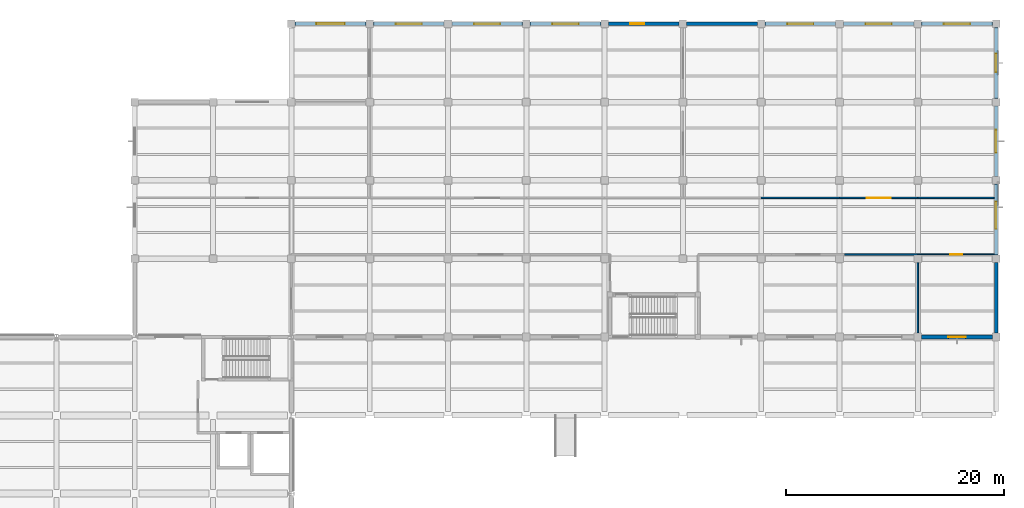
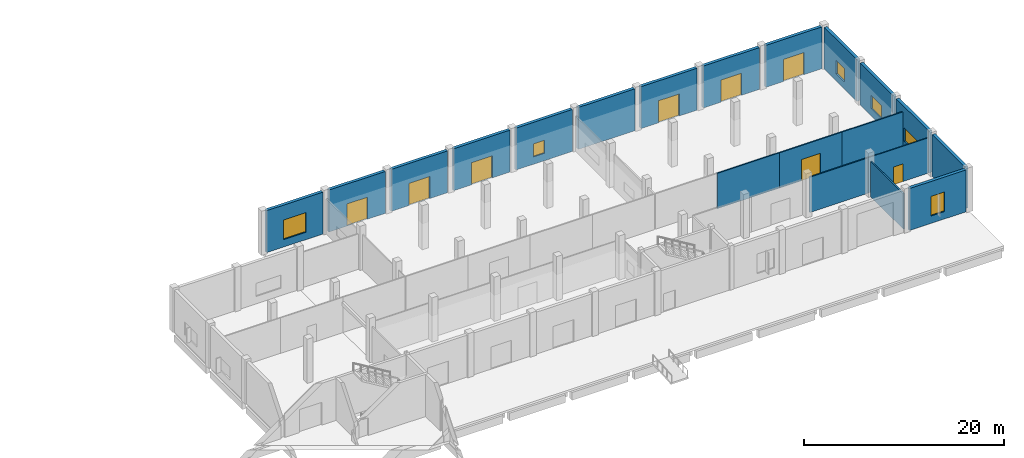
# One storey, part 30 of 46: 20 walls, 8 doors, 6 windows, 14 openings.
"""IFC4 building model written with IfcOpenShell, lengths in metres."""

from ifc_helpers import new_model, si_unit, direction, frame, frame_2d, origin, place, context, subcontext, project, spatial, rectangle, extrude, material, layer, layer_set, type_object, element, fill, save


model = new_model("IFC4")

# Units and contexts
model_context = context("Model", 3, precision=1e-05, world=origin(), true_north=direction((0.0, 1.0)))
body_context = subcontext(model_context, "Body", "Model", "MODEL_VIEW")
ifc_project = project(units=[si_unit("LENGTHUNIT", "METRE"), si_unit("AREAUNIT", "SQUARE_METRE"), si_unit("VOLUMEUNIT", "CUBIC_METRE"), si_unit("PLANEANGLEUNIT", "RADIAN"), si_unit("MASSUNIT", "GRAM", prefix="KILO"), si_unit("THERMODYNAMICTEMPERATUREUNIT", "KELVIN"), si_unit("POWERUNIT", "WATT")], contexts=[model_context])

# Site, building, storey
site_placement = place(None, origin())
site = spatial("IfcSite", under=ifc_project, at=site_placement, CompositionType="ELEMENT")
building_placement = place(site_placement, origin())
building = spatial("IfcBuilding", under=site, at=building_placement, Name="Kaldorven Railside Theatre", CompositionType="ELEMENT")
storey_placement = place(building_placement, origin())
storey = spatial("IfcBuildingStorey", under=building, at=storey_placement, Name="L00", CompositionType="ELEMENT", Elevation=0.0)

# Wall, opening, window
ifc_material_1 = material(Name="Precast concrete C40/50", Category="concrete")
ifc_layer_1 = layer(ifc_material_1, 0.35009765625, Name="Precast concrete C40/50")
ifc_layer_set_1 = layer_set([ifc_layer_1], Name="Precast concrete C40/50")
wall_type_1 = type_object("IfcWallType", Name="WL-EW03", PredefinedType="SOLIDWALL", material=ifc_layer_set_1)
wall_1_placement = place(storey_placement, frame((187.64990234375, 112.800048828125, 0.0), z_axis=(0.0, 0.0, 1.0), x_axis=(-1.0, 0.0, 0.0)))
wall_1 = element("IfcWall", 1, at=wall_1_placement, inside=storey, type_object=wall_type_1, Name="V6 L00 Exterior Wall EW-0371", PredefinedType="SOLIDWALL", context=body_context, shape_type="SweptSolid", body=[
    extrude(rectangle(XDim=6.5, YDim=0.35009765625, at=frame_2d((3.25, 0.0))), origin(), (0.0, 0.0, 1.0), 5.1201171875),
])
opening_1_placement = place(wall_1_placement, frame((2.449951171875, 0.0, 0.89990234375)))
opening_1 = element("IfcOpeningElement", 2, at=opening_1_placement, cuts=wall_1, Name="Opening WN-068", PredefinedType="OPENING", context=body_context, shape_type="SweptSolid", body=[
    extrude(rectangle(XDim=1.60009765625, YDim=2.39990234375, at=frame_2d((0.800048828125, 1.199951171875))), frame((0.0, 0.18505859375, 0.0), z_axis=(0.0, -1.0, 0.0), x_axis=(1.0, 0.0, 0.0)), (0.0, 0.0, 1.0), 0.3701171875),
])
ifc_material_2 = material(Name="Low-E laminated solar-control glass", Category="glass")
window_type_1 = type_object("IfcWindowType", Name="WN-EW18", PartitioningType="SINGLE_PANEL", PredefinedType="WINDOW", material=ifc_material_2)
window_1_placement = place(opening_1_placement, origin())
window_1 = element("IfcWindow", 3, at=window_1_placement, inside=storey, type_object=window_type_1, Name="Shaded Acoustic Exterior Window WN-068", OverallHeight=2.39990234375, OverallWidth=1.60009765625, PartitioningType="SINGLE_PANEL", PredefinedType="WINDOW", context=body_context, shape_type="SweptSolid", body=[
    extrude(rectangle(XDim=1.60009765625, YDim=2.39990234375, at=frame_2d((0.800048828125, 1.199951171875))), frame((0.0, 0.030029296875, 0.0), z_axis=(0.0, -1.0, 0.0), x_axis=(1.0, 0.0, 0.0)), (0.0, 0.0, 1.0), 0.06005859375),
])
fill(opening_1, window_1)

wall_2_placement = place(storey_placement, frame((123.550048828125, 141.60009765625, 0.0), z_axis=(0.0, 0.0, 1.0), x_axis=(1.0, 0.0, 0.0)))
wall_2 = element("IfcWall", 4, at=wall_2_placement, inside=storey, type_object=wall_type_1, Name="V6 L00 Exterior Wall EW-0379", PredefinedType="SOLIDWALL", context=body_context, shape_type="SweptSolid", body=[
    extrude(rectangle(XDim=6.5, YDim=0.35009765625, at=frame_2d((3.25, 0.0))), origin(), (0.0, 0.0, 1.0), 5.1201171875),
])
opening_2_placement = place(wall_2_placement, frame((1.949951171875, 0.0, 0.89990234375)))
opening_2 = element("IfcOpeningElement", 5, at=opening_2_placement, cuts=wall_2, Name="Opening WN-070", PredefinedType="OPENING", context=body_context, shape_type="SweptSolid", body=[
    extrude(rectangle(XDim=2.60009765625, YDim=2.39990234375, at=frame_2d((1.300048828125, 1.199951171875))), frame((0.0, 0.18505859375, 0.0), z_axis=(0.0, -1.0, 0.0), x_axis=(1.0, 0.0, 0.0)), (0.0, 0.0, 1.0), 0.3701171875),
])
window_type_2 = type_object("IfcWindowType", Name="WN-EW20", PartitioningType="SINGLE_PANEL", PredefinedType="WINDOW", material=ifc_material_2)
window_2_placement = place(opening_2_placement, origin())
window_2 = element("IfcWindow", 6, at=window_2_placement, inside=storey, type_object=window_type_2, Name="Shaded Acoustic Exterior Window WN-070", OverallHeight=2.39990234375, OverallWidth=2.60009765625, PartitioningType="SINGLE_PANEL", PredefinedType="WINDOW", context=body_context, shape_type="SweptSolid", body=[
    extrude(rectangle(XDim=2.60009765625, YDim=2.39990234375, at=frame_2d((1.300048828125, 1.199951171875))), frame((0.0, 0.030029296875, 0.0), z_axis=(0.0, -1.0, 0.0), x_axis=(1.0, 0.0, 0.0)), (0.0, 0.0, 1.0), 0.06005859375),
])
fill(opening_2, window_2)

# Wall, opening, door
wall_3_placement = place(storey_placement, frame((130.75, 141.60009765625, 0.0), z_axis=(0.0, 0.0, 1.0), x_axis=(1.0, 0.0, 0.0)))
wall_3 = element("IfcWall", 7, at=wall_3_placement, inside=storey, type_object=wall_type_1, Name="V6 L00 Exterior Wall EW-0380", PredefinedType="SOLIDWALL", context=body_context, shape_type="SweptSolid", body=[
    extrude(rectangle(XDim=6.5, YDim=0.35009765625, at=frame_2d((3.25, 0.0))), origin(), (0.0, 0.0, 1.0), 5.1201171875),
])
opening_3_placement = place(wall_3_placement, frame((2.050048828125, 0.0, 0.0)))
opening_3 = element("IfcOpeningElement", 8, at=opening_3_placement, cuts=wall_3, Name="Opening ED-022", PredefinedType="OPENING", context=body_context, shape_type="SweptSolid", body=[
    extrude(rectangle(XDim=2.39990234375, YDim=2.699951171875, at=frame_2d((1.199951171875, 1.35009765625))), frame((0.0, 0.18505859375, 0.0), z_axis=(0.0, -1.0, 0.0), x_axis=(1.0, 0.0, 0.0)), (0.0, 0.0, 1.0), 0.3701171875),
])
ifc_material_3 = material(Name="Powder-coated hollow-metal steel", Category="steel")
door_type_1 = type_object("IfcDoorType", Name="DR-ED11", OperationType="NOTDEFINED", PredefinedType="DOOR", material=ifc_material_3)
door_1_placement = place(opening_3_placement, origin())
door_1 = element("IfcDoor", 9, at=door_1_placement, inside=storey, type_object=door_type_1, Name="Pedestrian Final Exit ED-022", OperationType="DOUBLE_DOOR_SINGLE_SWING", OverallHeight=2.699951171875, OverallWidth=2.39990234375, PredefinedType="DOOR", context=body_context, shape_type="SweptSolid", body=[
    extrude(rectangle(XDim=2.39990234375, YDim=2.699951171875, at=frame_2d((1.199951171875, 1.35009765625))), frame((0.0, 0.02490234375, 0.0), z_axis=(0.0, -1.0, 0.0), x_axis=(1.0, 0.0, 0.0)), (0.0, 0.0, 1.0), 0.050048828125),
])
fill(opening_3, door_1)

wall_4_placement = place(storey_placement, frame((137.949951171875, 141.60009765625, 0.0), z_axis=(0.0, 0.0, 1.0), x_axis=(1.0, 0.0, 0.0)))
wall_4 = element("IfcWall", 10, at=wall_4_placement, inside=storey, type_object=wall_type_1, Name="V6 L00 Exterior Wall EW-0381", PredefinedType="SOLIDWALL", context=body_context, shape_type="SweptSolid", body=[
    extrude(rectangle(XDim=6.5, YDim=0.35009765625, at=frame_2d((3.25, 0.0))), origin(), (0.0, 0.0, 1.0), 5.1201171875),
])
opening_4_placement = place(wall_4_placement, frame((2.050048828125, 0.0, 0.0)))
opening_4 = element("IfcOpeningElement", 11, at=opening_4_placement, cuts=wall_4, Name="Opening ED-023", PredefinedType="OPENING", context=body_context, shape_type="SweptSolid", body=[
    extrude(rectangle(XDim=2.39990234375, YDim=2.699951171875, at=frame_2d((1.199951171875, 1.35009765625))), frame((0.0, 0.18505859375, 0.0), z_axis=(0.0, -1.0, 0.0), x_axis=(1.0, 0.0, 0.0)), (0.0, 0.0, 1.0), 0.3701171875),
])
door_2_placement = place(opening_4_placement, origin())
door_2 = element("IfcDoor", 12, at=door_2_placement, inside=storey, type_object=door_type_1, Name="Pedestrian Final Exit ED-023", OperationType="DOUBLE_DOOR_SINGLE_SWING", OverallHeight=2.699951171875, OverallWidth=2.39990234375, PredefinedType="DOOR", context=body_context, shape_type="SweptSolid", body=[
    extrude(rectangle(XDim=2.39990234375, YDim=2.699951171875, at=frame_2d((1.199951171875, 1.35009765625))), frame((0.0, 0.02490234375, 0.0), z_axis=(0.0, -1.0, 0.0), x_axis=(1.0, 0.0, 0.0)), (0.0, 0.0, 1.0), 0.050048828125),
])
fill(opening_4, door_2)

wall_5_placement = place(storey_placement, frame((145.14990234375, 141.60009765625, 0.0), z_axis=(0.0, 0.0, 1.0), x_axis=(1.0, 0.0, 0.0)))
wall_5 = element("IfcWall", 13, at=wall_5_placement, inside=storey, type_object=wall_type_1, Name="V6 L00 Exterior Wall EW-0382", PredefinedType="SOLIDWALL", context=body_context, shape_type="SweptSolid", body=[
    extrude(rectangle(XDim=6.5, YDim=0.35009765625, at=frame_2d((3.25, 0.0))), origin(), (0.0, 0.0, 1.0), 5.1201171875),
])
opening_5_placement = place(wall_5_placement, frame((2.050048828125, 0.0, 0.0)))
opening_5 = element("IfcOpeningElement", 14, at=opening_5_placement, cuts=wall_5, Name="Opening ED-024", PredefinedType="OPENING", context=body_context, shape_type="SweptSolid", body=[
    extrude(rectangle(XDim=2.39990234375, YDim=2.699951171875, at=frame_2d((1.199951171875, 1.35009765625))), frame((0.0, 0.18505859375, 0.0), z_axis=(0.0, -1.0, 0.0), x_axis=(1.0, 0.0, 0.0)), (0.0, 0.0, 1.0), 0.3701171875),
])
door_3_placement = place(opening_5_placement, origin())
door_3 = element("IfcDoor", 15, at=door_3_placement, inside=storey, type_object=door_type_1, Name="Pedestrian Final Exit ED-024", OperationType="DOUBLE_DOOR_SINGLE_SWING", OverallHeight=2.699951171875, OverallWidth=2.39990234375, PredefinedType="DOOR", context=body_context, shape_type="SweptSolid", body=[
    extrude(rectangle(XDim=2.39990234375, YDim=2.699951171875, at=frame_2d((1.199951171875, 1.35009765625))), frame((0.0, 0.02490234375, 0.0), z_axis=(0.0, -1.0, 0.0), x_axis=(1.0, 0.0, 0.0)), (0.0, 0.0, 1.0), 0.050048828125),
])
fill(opening_5, door_3)

# Wall, opening, window
wall_6_placement = place(storey_placement, frame((152.35009765625, 141.60009765625, 0.0), z_axis=(0.0, 0.0, 1.0), x_axis=(1.0, 0.0, 0.0)))
wall_6 = element("IfcWall", 16, at=wall_6_placement, inside=storey, type_object=wall_type_1, Name="V6 L00 Exterior Wall EW-0383", PredefinedType="SOLIDWALL", context=body_context, shape_type="SweptSolid", body=[
    extrude(rectangle(XDim=6.5, YDim=0.35009765625, at=frame_2d((3.25, 0.0))), origin(), (0.0, 0.0, 1.0), 5.1201171875),
])
opening_6_placement = place(wall_6_placement, frame((2.0, 0.0, 0.89990234375)))
opening_6 = element("IfcOpeningElement", 17, at=opening_6_placement, cuts=wall_6, Name="Opening WN-071", PredefinedType="OPENING", context=body_context, shape_type="SweptSolid", body=[
    extrude(rectangle(XDim=1.300048828125, YDim=1.60009765625, at=frame_2d((0.64990234375, 0.800048828125))), frame((0.0, 0.18505859375, 0.0), z_axis=(0.0, -1.0, 0.0), x_axis=(1.0, 0.0, 0.0)), (0.0, 0.0, 1.0), 0.3701171875),
])
window_type_3 = type_object("IfcWindowType", Name="WN-EW21", PartitioningType="SINGLE_PANEL", PredefinedType="WINDOW", material=ifc_material_2)
window_3_placement = place(opening_6_placement, origin())
window_3 = element("IfcWindow", 18, at=window_3_placement, inside=storey, type_object=window_type_3, Name="Shaded Acoustic Exterior Window WN-071", OverallHeight=1.60009765625, OverallWidth=1.300048828125, PartitioningType="SINGLE_PANEL", PredefinedType="WINDOW", context=body_context, shape_type="SweptSolid", body=[
    extrude(rectangle(XDim=1.300048828125, YDim=1.60009765625, at=frame_2d((0.64990234375, 0.800048828125))), frame((0.0, 0.030029296875, 0.0), z_axis=(0.0, -1.0, 0.0), x_axis=(1.0, 0.0, 0.0)), (0.0, 0.0, 1.0), 0.06005859375),
])
fill(opening_6, window_3)

# Wall
wall_7_placement = place(storey_placement, frame((159.550048828125, 141.60009765625, 0.0), z_axis=(0.0, 0.0, 1.0), x_axis=(1.0, 0.0, 0.0)))
element("IfcWall", 19, at=wall_7_placement, inside=storey, type_object=wall_type_1, Name="V6 L00 Exterior Wall EW-0384", PredefinedType="SOLIDWALL", context=body_context, shape_type="SweptSolid", body=[
    extrude(rectangle(XDim=6.5, YDim=0.35009765625, at=frame_2d((3.25, 0.0))), origin(), (0.0, 0.0, 1.0), 5.1201171875),
])

# Wall, opening, door
wall_8_placement = place(storey_placement, frame((166.75, 141.60009765625, 0.0), z_axis=(0.0, 0.0, 1.0), x_axis=(1.0, 0.0, 0.0)))
wall_8 = element("IfcWall", 20, at=wall_8_placement, inside=storey, type_object=wall_type_1, Name="V6 L00 Exterior Wall EW-0385", PredefinedType="SOLIDWALL", context=body_context, shape_type="SweptSolid", body=[
    extrude(rectangle(XDim=6.5, YDim=0.35009765625, at=frame_2d((3.25, 0.0))), origin(), (0.0, 0.0, 1.0), 5.1201171875),
])
opening_7_placement = place(wall_8_placement, frame((2.050048828125, 0.0, 0.0)))
opening_7 = element("IfcOpeningElement", 21, at=opening_7_placement, cuts=wall_8, Name="Opening ED-025", PredefinedType="OPENING", context=body_context, shape_type="SweptSolid", body=[
    extrude(rectangle(XDim=2.39990234375, YDim=2.699951171875, at=frame_2d((1.199951171875, 1.35009765625))), frame((0.0, 0.18505859375, 0.0), z_axis=(0.0, -1.0, 0.0), x_axis=(1.0, 0.0, 0.0)), (0.0, 0.0, 1.0), 0.3701171875),
])
door_4_placement = place(opening_7_placement, origin())
door_4 = element("IfcDoor", 22, at=door_4_placement, inside=storey, type_object=door_type_1, Name="Pedestrian Final Exit ED-025", OperationType="DOUBLE_DOOR_SINGLE_SWING", OverallHeight=2.699951171875, OverallWidth=2.39990234375, PredefinedType="DOOR", context=body_context, shape_type="SweptSolid", body=[
    extrude(rectangle(XDim=2.39990234375, YDim=2.699951171875, at=frame_2d((1.199951171875, 1.35009765625))), frame((0.0, 0.02490234375, 0.0), z_axis=(0.0, -1.0, 0.0), x_axis=(1.0, 0.0, 0.0)), (0.0, 0.0, 1.0), 0.050048828125),
])
fill(opening_7, door_4)

wall_9_placement = place(storey_placement, frame((173.949951171875, 141.60009765625, 0.0), z_axis=(0.0, 0.0, 1.0), x_axis=(1.0, 0.0, 0.0)))
wall_9 = element("IfcWall", 23, at=wall_9_placement, inside=storey, type_object=wall_type_1, Name="V6 L00 Exterior Wall EW-0386", PredefinedType="SOLIDWALL", context=body_context, shape_type="SweptSolid", body=[
    extrude(rectangle(XDim=6.5, YDim=0.35009765625, at=frame_2d((3.25, 0.0))), origin(), (0.0, 0.0, 1.0), 5.1201171875),
])
opening_8_placement = place(wall_9_placement, frame((2.050048828125, 0.0, 0.0)))
opening_8 = element("IfcOpeningElement", 24, at=opening_8_placement, cuts=wall_9, Name="Opening ED-026", PredefinedType="OPENING", context=body_context, shape_type="SweptSolid", body=[
    extrude(rectangle(XDim=2.39990234375, YDim=2.699951171875, at=frame_2d((1.199951171875, 1.35009765625))), frame((0.0, 0.18505859375, 0.0), z_axis=(0.0, -1.0, 0.0), x_axis=(1.0, 0.0, 0.0)), (0.0, 0.0, 1.0), 0.3701171875),
])
door_5_placement = place(opening_8_placement, origin())
door_5 = element("IfcDoor", 25, at=door_5_placement, inside=storey, type_object=door_type_1, Name="Pedestrian Final Exit ED-026", OperationType="DOUBLE_DOOR_SINGLE_SWING", OverallHeight=2.699951171875, OverallWidth=2.39990234375, PredefinedType="DOOR", context=body_context, shape_type="SweptSolid", body=[
    extrude(rectangle(XDim=2.39990234375, YDim=2.699951171875, at=frame_2d((1.199951171875, 1.35009765625))), frame((0.0, 0.02490234375, 0.0), z_axis=(0.0, -1.0, 0.0), x_axis=(1.0, 0.0, 0.0)), (0.0, 0.0, 1.0), 0.050048828125),
])
fill(opening_8, door_5)

wall_10_placement = place(storey_placement, frame((181.14990234375, 141.60009765625, 0.0), z_axis=(0.0, 0.0, 1.0), x_axis=(1.0, 0.0, 0.0)))
wall_10 = element("IfcWall", 26, at=wall_10_placement, inside=storey, type_object=wall_type_1, Name="V6 L00 Exterior Wall EW-0387", PredefinedType="SOLIDWALL", context=body_context, shape_type="SweptSolid", body=[
    extrude(rectangle(XDim=6.5, YDim=0.35009765625, at=frame_2d((3.25, 0.0))), origin(), (0.0, 0.0, 1.0), 5.1201171875),
])
opening_9_placement = place(wall_10_placement, frame((2.050048828125, 0.0, 0.0)))
opening_9 = element("IfcOpeningElement", 27, at=opening_9_placement, cuts=wall_10, Name="Opening ED-027", PredefinedType="OPENING", context=body_context, shape_type="SweptSolid", body=[
    extrude(rectangle(XDim=2.39990234375, YDim=2.699951171875, at=frame_2d((1.199951171875, 1.35009765625))), frame((0.0, 0.18505859375, 0.0), z_axis=(0.0, -1.0, 0.0), x_axis=(1.0, 0.0, 0.0)), (0.0, 0.0, 1.0), 0.3701171875),
])
door_6_placement = place(opening_9_placement, origin())
door_6 = element("IfcDoor", 28, at=door_6_placement, inside=storey, type_object=door_type_1, Name="Pedestrian Final Exit ED-027", OperationType="DOUBLE_DOOR_SINGLE_SWING", OverallHeight=2.699951171875, OverallWidth=2.39990234375, PredefinedType="DOOR", context=body_context, shape_type="SweptSolid", body=[
    extrude(rectangle(XDim=2.39990234375, YDim=2.699951171875, at=frame_2d((1.199951171875, 1.35009765625))), frame((0.0, 0.02490234375, 0.0), z_axis=(0.0, -1.0, 0.0), x_axis=(1.0, 0.0, 0.0)), (0.0, 0.0, 1.0), 0.050048828125),
])
fill(opening_9, door_6)

# Wall, opening, window
wall_11_placement = place(storey_placement, frame((188.0, 141.25, 0.0), z_axis=(0.0, 0.0, 1.0), x_axis=(0.0, -1.0, 0.0)))
wall_11 = element("IfcWall", 29, at=wall_11_placement, inside=storey, type_object=wall_type_1, Name="V6 L00 Exterior Wall EW-0388", PredefinedType="SOLIDWALL", context=body_context, shape_type="SweptSolid", body=[
    extrude(rectangle(XDim=6.5, YDim=0.35009765625, at=frame_2d((3.25, 0.0))), origin(), (0.0, 0.0, 1.0), 5.1201171875),
])
opening_10_placement = place(wall_11_placement, frame((2.39990234375, 0.0, 0.89990234375)))
opening_10 = element("IfcOpeningElement", 30, at=opening_10_placement, cuts=wall_11, Name="Opening WN-072", PredefinedType="OPENING", context=body_context, shape_type="SweptSolid", body=[
    extrude(rectangle(XDim=1.699951171875, YDim=1.60009765625, at=frame_2d((0.85009765625, 0.800048828125))), frame((0.0, 0.18505859375, 0.0), z_axis=(0.0, -1.0, 0.0), x_axis=(1.0, 0.0, 0.0)), (0.0, 0.0, 1.0), 0.3701171875),
])
window_type_4 = type_object("IfcWindowType", Name="WN-EW22", PartitioningType="SINGLE_PANEL", PredefinedType="WINDOW", material=ifc_material_2)
window_4_placement = place(opening_10_placement, origin())
window_4 = element("IfcWindow", 31, at=window_4_placement, inside=storey, type_object=window_type_4, Name="Shaded Acoustic Exterior Window WN-072", OverallHeight=1.60009765625, OverallWidth=1.699951171875, PartitioningType="SINGLE_PANEL", PredefinedType="WINDOW", context=body_context, shape_type="SweptSolid", body=[
    extrude(rectangle(XDim=1.699951171875, YDim=1.60009765625, at=frame_2d((0.85009765625, 0.800048828125))), frame((0.0, 0.030029296875, 0.0), z_axis=(0.0, -1.0, 0.0), x_axis=(1.0, 0.0, 0.0)), (0.0, 0.0, 1.0), 0.06005859375),
])
fill(opening_10, window_4)

wall_12_placement = place(storey_placement, frame((188.0, 134.050048828125, 0.0), z_axis=(0.0, 0.0, 1.0), x_axis=(0.0, -1.0, 0.0)))
wall_12 = element("IfcWall", 32, at=wall_12_placement, inside=storey, type_object=wall_type_1, Name="V6 L00 Exterior Wall EW-0389", PredefinedType="SOLIDWALL", context=body_context, shape_type="SweptSolid", body=[
    extrude(rectangle(XDim=6.5, YDim=0.35009765625, at=frame_2d((3.25, 0.0))), origin(), (0.0, 0.0, 1.0), 5.1201171875),
])
opening_11_placement = place(wall_12_placement, frame((2.199951171875, 0.0, 0.89990234375)))
opening_11 = element("IfcOpeningElement", 33, at=opening_11_placement, cuts=wall_12, Name="Opening WN-073", PredefinedType="OPENING", context=body_context, shape_type="SweptSolid", body=[
    extrude(rectangle(XDim=2.10009765625, YDim=1.60009765625, at=frame_2d((1.050048828125, 0.800048828125))), frame((0.0, 0.18505859375, 0.0), z_axis=(0.0, -1.0, 0.0), x_axis=(1.0, 0.0, 0.0)), (0.0, 0.0, 1.0), 0.3701171875),
])
window_type_5 = type_object("IfcWindowType", Name="WN-EW23", PartitioningType="SINGLE_PANEL", PredefinedType="WINDOW", material=ifc_material_2)
window_5_placement = place(opening_11_placement, origin())
window_5 = element("IfcWindow", 34, at=window_5_placement, inside=storey, type_object=window_type_5, Name="Shaded Acoustic Exterior Window WN-073", OverallHeight=1.60009765625, OverallWidth=2.10009765625, PartitioningType="SINGLE_PANEL", PredefinedType="WINDOW", context=body_context, shape_type="SweptSolid", body=[
    extrude(rectangle(XDim=2.10009765625, YDim=1.60009765625, at=frame_2d((1.050048828125, 0.800048828125))), frame((0.0, 0.030029296875, 0.0), z_axis=(0.0, -1.0, 0.0), x_axis=(1.0, 0.0, 0.0)), (0.0, 0.0, 1.0), 0.06005859375),
])
fill(opening_11, window_5)

wall_13_placement = place(storey_placement, frame((188.0, 126.85009765625, 0.0), z_axis=(0.0, 0.0, 1.0), x_axis=(0.0, -1.0, 0.0)))
wall_13 = element("IfcWall", 35, at=wall_13_placement, inside=storey, type_object=wall_type_1, Name="V6 L00 Exterior Wall EW-0390", PredefinedType="SOLIDWALL", context=body_context, shape_type="SweptSolid", body=[
    extrude(rectangle(XDim=6.5, YDim=0.35009765625, at=frame_2d((3.25, 0.0))), origin(), (0.0, 0.0, 1.0), 5.1201171875),
])
opening_12_placement = place(wall_13_placement, frame((1.60009765625, 0.0, 0.89990234375)))
opening_12 = element("IfcOpeningElement", 36, at=opening_12_placement, cuts=wall_13, Name="Opening WN-074", PredefinedType="OPENING", context=body_context, shape_type="SweptSolid", body=[
    extrude(rectangle(XDim=2.5, YDim=1.60009765625, at=frame_2d((1.25, 0.800048828125))), frame((0.0, 0.18505859375, 0.0), z_axis=(0.0, -1.0, 0.0), x_axis=(1.0, 0.0, 0.0)), (0.0, 0.0, 1.0), 0.3701171875),
])
window_type_6 = type_object("IfcWindowType", Name="WN-EW24", PartitioningType="SINGLE_PANEL", PredefinedType="WINDOW", material=ifc_material_2)
window_6_placement = place(opening_12_placement, origin())
window_6 = element("IfcWindow", 37, at=window_6_placement, inside=storey, type_object=window_type_6, Name="Shaded Acoustic Exterior Window WN-074", OverallHeight=1.60009765625, OverallWidth=2.5, PartitioningType="SINGLE_PANEL", PredefinedType="WINDOW", context=body_context, shape_type="SweptSolid", body=[
    extrude(rectangle(XDim=2.5, YDim=1.60009765625, at=frame_2d((1.25, 0.800048828125))), frame((0.0, 0.030029296875, 0.0), z_axis=(0.0, -1.0, 0.0), x_axis=(1.0, 0.0, 0.0)), (0.0, 0.0, 1.0), 0.06005859375),
])
fill(opening_12, window_6)

# Walls
wall_14_placement = place(storey_placement, frame((188.0, 119.64990234375, 0.0), z_axis=(0.0, 0.0, 1.0), x_axis=(0.0, -1.0, 0.0)))
element("IfcWall", 38, at=wall_14_placement, inside=storey, type_object=wall_type_1, Name="V6 L00 Exterior Wall EW-0391", PredefinedType="SOLIDWALL", context=body_context, shape_type="SweptSolid", body=[
    extrude(rectangle(XDim=6.5, YDim=0.35009765625, at=frame_2d((3.25, 0.0))), origin(), (0.0, 0.0, 1.0), 5.1201171875),
])
ifc_material_4 = material(Name="Acoustic gypsum board")
ifc_layer_2 = layer(ifc_material_4, 0.14990234375, Name="Acoustic gypsum board")
ifc_layer_set_2 = layer_set([ifc_layer_2], Name="Acoustic gypsum board")
wall_type_2 = type_object("IfcWallType", Name="WL-IW-AC1", PredefinedType="PARTITIONING", material=ifc_layer_set_2)
wall_15_placement = place(storey_placement, frame((166.39990234375, 125.60009765625, 0.0), z_axis=(0.0, 0.0, 1.0), x_axis=(1.0, 0.0, 0.0)))
element("IfcWall", 39, at=wall_15_placement, inside=storey, type_object=wall_type_2, Name="L00 Interior Wall IW-0507", PredefinedType="PARTITIONING", context=body_context, shape_type="SweptSolid", body=[
    extrude(rectangle(XDim=7.2001953125, YDim=0.14990234375, at=frame_2d((3.60009765625, 0.0))), origin(), (0.0, 0.0, 1.0), 4.31494140625),
])

# Wall, opening, door
wall_16_placement = place(storey_placement, frame((173.60009765625, 125.60009765625, 0.0), z_axis=(0.0, 0.0, 1.0), x_axis=(1.0, 0.0, 0.0)))
wall_16 = element("IfcWall", 40, at=wall_16_placement, inside=storey, type_object=wall_type_2, Name="L00 Interior Wall IW-0508", PredefinedType="PARTITIONING", context=body_context, shape_type="SweptSolid", body=[
    extrude(rectangle(XDim=7.199951171875, YDim=0.14990234375, at=frame_2d((3.60009765625, 0.0))), origin(), (0.0, 0.0, 1.0), 4.31494140625),
])
opening_13_placement = place(wall_16_placement, frame((2.5, 0.0, 0.0)))
opening_13 = element("IfcOpeningElement", 41, at=opening_13_placement, cuts=wall_16, Name="Opening ID-0117", PredefinedType="OPENING", context=body_context, shape_type="SweptSolid", body=[
    extrude(rectangle(XDim=2.199951171875, YDim=2.60009765625, at=frame_2d((1.10009765625, 1.300048828125))), frame((0.0, 0.0849609375, 0.0), z_axis=(0.0, -1.0, 0.0), x_axis=(1.0, 0.0, 0.0)), (0.0, 0.0, 1.0), 0.169921875),
])
door_type_2 = type_object("IfcDoorType", Name="DR-ID-WKS1", OperationType="NOTDEFINED", PredefinedType="DOOR", material=ifc_material_3)
door_7_placement = place(opening_13_placement, origin())
door_7 = element("IfcDoor", 42, at=door_7_placement, inside=storey, type_object=door_type_2, Name="Carpentry Workshop Entry Door", OperationType="DOUBLE_DOOR_SINGLE_SWING", OverallHeight=2.60009765625, OverallWidth=2.199951171875, PredefinedType="DOOR", context=body_context, shape_type="SweptSolid", body=[
    extrude(rectangle(XDim=2.199951171875, YDim=2.60009765625, at=frame_2d((1.10009765625, 1.300048828125))), frame((0.0, 0.02490234375, 0.0), z_axis=(0.0, -1.0, 0.0), x_axis=(1.0, 0.0, 0.0)), (0.0, 0.0, 1.0), 0.050048828125),
])
fill(opening_13, door_7)

# Walls
wall_17_placement = place(storey_placement, frame((180.800048828125, 125.60009765625, 0.0), z_axis=(0.0, 0.0, 1.0), x_axis=(1.0, 0.0, 0.0)))
element("IfcWall", 43, at=wall_17_placement, inside=storey, type_object=wall_type_2, Name="L00 Interior Wall IW-0509", PredefinedType="PARTITIONING", context=body_context, shape_type="SweptSolid", body=[
    extrude(rectangle(XDim=7.02294921875, YDim=0.14990234375, at=frame_2d((3.511474609375, 0.0))), origin(), (0.0, 0.0, 1.0), 4.31494140625),
])
wall_18_placement = place(storey_placement, frame((180.800048828125, 113.14990234375, 0.0), z_axis=(0.0, 0.0, 1.0), x_axis=(0.0, 1.0, 0.0)))
element("IfcWall", 44, at=wall_18_placement, inside=storey, type_object=wall_type_2, Name="L00 Interior Wall IW-0510", PredefinedType="PARTITIONING", context=body_context, shape_type="SweptSolid", body=[
    extrude(rectangle(XDim=6.5, YDim=0.14990234375, at=frame_2d((3.25, 0.0))), origin(), (0.0, 0.0, 1.0), 4.31494140625),
])
wall_19_placement = place(storey_placement, frame((180.800048828125, 120.39990234375, 0.0), z_axis=(0.0, 0.0, 1.0), x_axis=(-1.0, 0.0, 0.0)))
element("IfcWall", 45, at=wall_19_placement, inside=storey, type_object=wall_type_2, Name="L00 Interior Wall IW-0511", PredefinedType="PARTITIONING", context=body_context, shape_type="SweptSolid", body=[
    extrude(rectangle(XDim=6.7333984375, YDim=0.14990234375, at=frame_2d((3.36669921875, 0.0))), origin(), (0.0, 0.0, 1.0), 4.31494140625),
])

# Wall, opening, door
ifc_material_5 = material(Name="Fire-rated acoustic gypsum board")
ifc_layer_3 = layer(ifc_material_5, 0.10009765625, Name="Fire-rated acoustic gypsum board")
ifc_layer_set_3 = layer_set([ifc_layer_3], Name="Fire-rated acoustic gypsum board")
wall_type_3 = type_object("IfcWallType", Name="WL-IW-PT2", PredefinedType="PARTITIONING", material=ifc_layer_set_3)
wall_20_placement = place(storey_placement, frame((187.822998046875, 120.39990234375, 0.0), z_axis=(0.0, 0.0, 1.0), x_axis=(-1.0, 0.0, 0.0)))
wall_20 = element("IfcWall", 46, at=wall_20_placement, inside=storey, type_object=wall_type_3, Name="L00 Interior Wall IW-0521", PredefinedType="PARTITIONING", context=body_context, shape_type="SweptSolid", body=[
    extrude(rectangle(XDim=7.02294921875, YDim=0.10009765625, at=frame_2d((3.511474609375, 0.0))), origin(), (0.0, 0.0, 1.0), 4.31494140625),
])
opening_14_placement = place(wall_20_placement, frame((2.96142578125, 0.0, 0.0)))
opening_14 = element("IfcOpeningElement", 47, at=opening_14_placement, cuts=wall_20, Name="Opening ID-0120", PredefinedType="OPENING", context=body_context, shape_type="SweptSolid", body=[
    extrude(rectangle(XDim=1.10009765625, YDim=2.14990234375, at=frame_2d((0.550048828125, 1.074951171875))), frame((0.0, 0.06005859375, 0.0), z_axis=(0.0, -1.0, 0.0), x_axis=(1.0, 0.0, 0.0)), (0.0, 0.0, 1.0), 0.1201171875),
])
ifc_material_6 = material(Name="Acoustic hardwood timber", Category="wood")
door_type_3 = type_object("IfcDoorType", Name="DR-ID-FD60", OperationType="NOTDEFINED", PredefinedType="DOOR", material=ifc_material_6)
door_8_placement = place(opening_14_placement, origin())
door_8 = element("IfcDoor", 48, at=door_8_placement, inside=storey, type_object=door_type_3, Name="Stage Door Artist Reception Entry Door", OperationType="SINGLE_SWING_RIGHT", OverallHeight=2.14990234375, OverallWidth=1.10009765625, PredefinedType="DOOR", context=body_context, shape_type="SweptSolid", body=[
    extrude(rectangle(XDim=1.10009765625, YDim=2.14990234375, at=frame_2d((0.550048828125, 1.074951171875))), frame((0.0, 0.02490234375, 0.0), z_axis=(0.0, -1.0, 0.0), x_axis=(1.0, 0.0, 0.0)), (0.0, 0.0, 1.0), 0.050048828125),
])
fill(opening_14, door_8)

save(model, "model.ifc")
